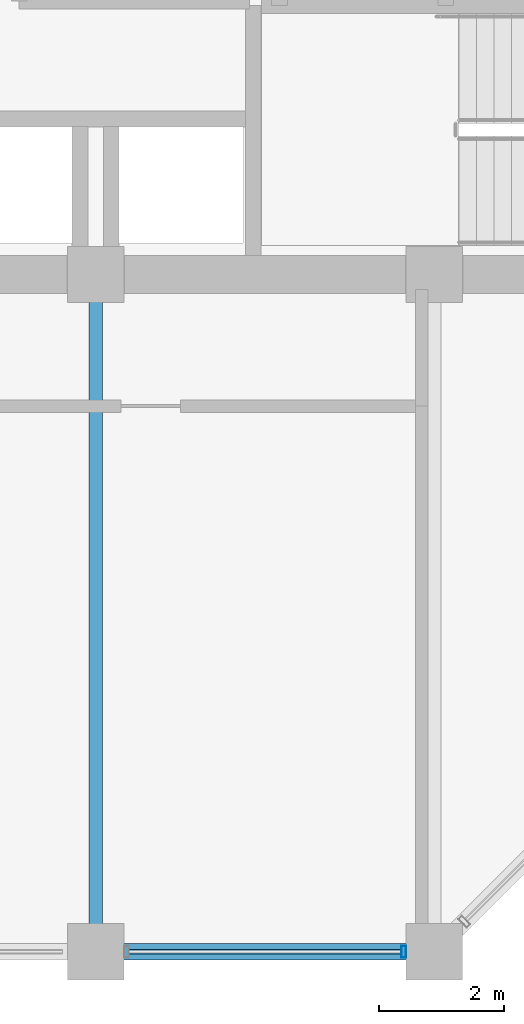
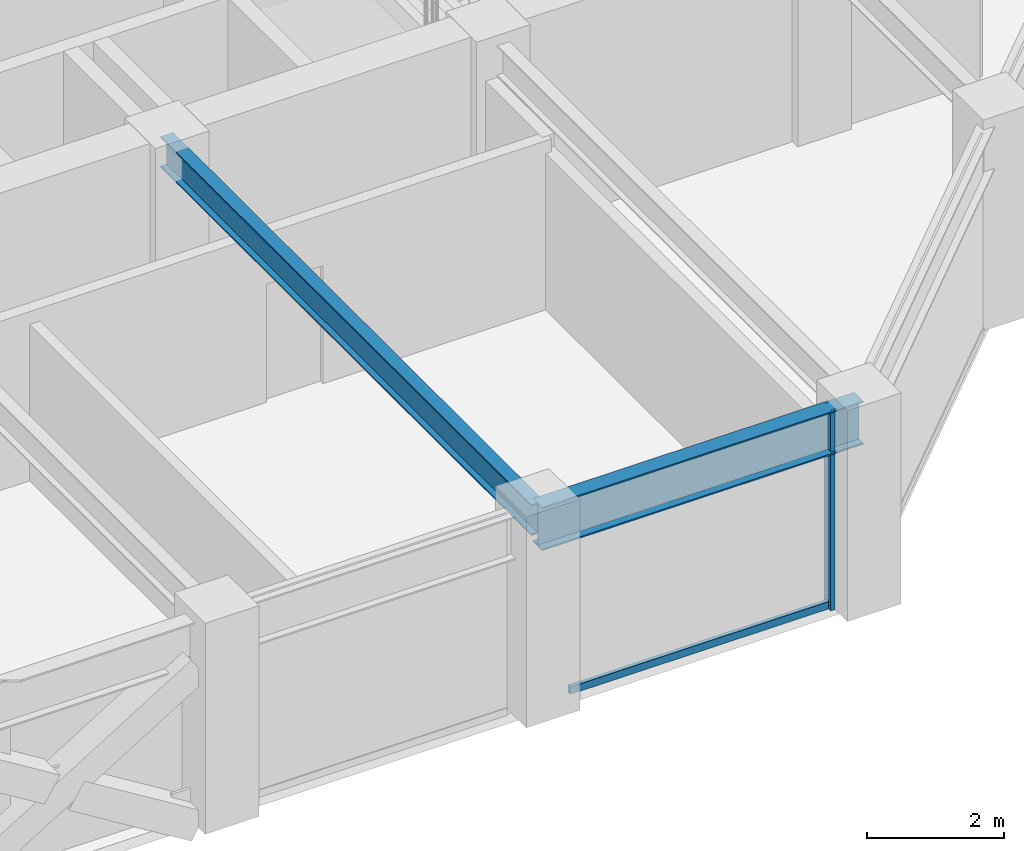
# One storey, part 7 of 32: 2 beams, 2 members, 1 element without a shape of its own.
"""IFC4 building model written with IfcOpenShell, lengths in metres."""

from ifc_helpers import new_model, si_unit, direction, frame, origin, origin_2d, place, context, subcontext, project, spatial, hollow_rectangle, i_section, extrude, material, layer, layer_set, material_profile, profile_set, type_object, element, aggregate, save


model = new_model("IFC4")

# Units and contexts
model_context = context("Model", 3, precision=1e-05, world=origin(), true_north=direction((0.0, 1.0)))
body_context = subcontext(model_context, "Body", "Model", "MODEL_VIEW")
ifc_project = project(units=[si_unit("LENGTHUNIT", "METRE"), si_unit("AREAUNIT", "SQUARE_METRE"), si_unit("VOLUMEUNIT", "CUBIC_METRE"), si_unit("PLANEANGLEUNIT", "RADIAN"), si_unit("MASSUNIT", "GRAM", prefix="KILO")], contexts=[model_context])

# Site, building, storey
site_placement = place(None, origin())
site = spatial("IfcSite", under=ifc_project, at=site_placement, CompositionType="ELEMENT")
building_placement = place(site_placement, origin())
building = spatial("IfcBuilding", under=site, at=building_placement, Name="Surkhivell Harbour Commons", CompositionType="ELEMENT")
storey_placement = place(building_placement, frame((0.0, 0.0, 212.25)))
storey = spatial("IfcBuildingStorey", under=building, at=storey_placement, Name="L55", CompositionType="ELEMENT", Elevation=212.25)

# Beams
ifc_material_1 = material(Name="Steel S355", Category="steel")
ifc_material_profile_1 = material_profile(ifc_material_1, i_section(OverallWidth=0.2119140625, OverallDepth=0.5439453125, WebThickness=0.0126953125, FlangeThickness=0.021240234375, at=origin_2d()), Name="UB533x210x122")
ifc_profile_set_1 = profile_set([ifc_material_profile_1], Name="Steel S355")
beam_type_1 = type_object("IfcBeamType", Name="BM-GRD-533A", PredefinedType="BEAM", material=ifc_profile_set_1)
beam_1_placement = place(storey_placement, frame((0.0, -21.60009765625, 3.298095703125), z_axis=(0.0, 1.0, 0.0), x_axis=(-1.0, 0.0, 0.0)))
element("IfcBeam", 1, at=beam_1_placement, inside=storey, type_object=beam_type_1, Name="L55 Floor Girder (0.0,-21.6)", PredefinedType="BEAM", context=body_context, shape_type="SweptSolid", body=[
    extrude(i_section(OverallWidth=0.2119140625, OverallDepth=0.5439453125, WebThickness=0.0126953125, FlangeThickness=0.021240234375, at=origin_2d()), origin(), (0.0, 0.0, 1.0), 10.800048828125),
])
ifc_material_profile_2 = material_profile(ifc_material_1, i_section(OverallWidth=0.26806640625, OverallDepth=0.77001953125, WebThickness=0.015625, FlangeThickness=0.025390625, at=origin_2d()), Name="UB762x267x197")
ifc_profile_set_2 = profile_set([ifc_material_profile_2], Name="Steel S355")
beam_type_2 = type_object("IfcBeamType", Name="BM-SPN-762", PredefinedType="SPANDREL", material=ifc_profile_set_2)
beam_2_placement = place(storey_placement, frame((0.0, -21.60009765625, 3.18505859375), z_axis=(1.0, 0.0, 0.0), x_axis=(0.0, 1.0, 0.0)))
element("IfcBeam", 2, at=beam_2_placement, inside=storey, type_object=beam_type_2, Name="L55 Tube Spandrel (-0.0,-21.6)", PredefinedType="SPANDREL", context=body_context, shape_type="SweptSolid", body=[
    extrude(i_section(OverallWidth=0.26806640625, OverallDepth=0.77001953125, WebThickness=0.015625, FlangeThickness=0.025390625, at=origin_2d()), origin(), (0.0, 0.0, 1.0), 5.39990234375),
])

# Curtain wall, members
ifc_material_2 = material(Name="Anodised pale-metal aluminium and insulated glazing", Category="aluminium")
ifc_layer = layer(ifc_material_2, 0.18994140625)
ifc_layer_set = layer_set([ifc_layer], Name="Anodised pale-metal aluminium and insulated glazing")
curtain_wall_type = type_object("IfcCurtainWallType", Name="CW-SYS-Z3", PredefinedType="NOTDEFINED", material=ifc_layer_set)
curtain_wall_placement = place(storey_placement, origin())
curtain_wall = element("IfcCurtainWall", 3, at=curtain_wall_placement, inside=storey, type_object=curtain_wall_type, Name="L55 Curtain Wall CW-L55-E00S2", PredefinedType="NOTDEFINED")
ifc_material_3 = material(Name="Anodised pale-metal aluminium alloy 6063-T6", Category="aluminium")
ifc_material_profile_3 = material_profile(ifc_material_3, hollow_rectangle(XDim=0.074951171875, YDim=0.18994140625, WallThickness=0.00390625, at=origin_2d()), Name="ALU-MULL-75x190")
ifc_profile_set_3 = profile_set([ifc_material_profile_3], Name="Anodised pale-metal aluminium alloy 6063-T6")
member_type_1 = type_object("IfcMemberType", Name="CWM-190", PredefinedType="MULLION", material=ifc_profile_set_3)
member_1_placement = place(storey_placement, frame((4.910400390625, -21.60009765625, 0.0), z_axis=(0.0, 0.0, 1.0), x_axis=(1.0, 0.0, 0.0)))
member_1 = element("IfcMember", 4, at=member_1_placement, type_object=member_type_1, Name="CW-Z3 mullion 3", PredefinedType="MULLION", context=body_context, shape_type="SweptSolid", body=[
    extrude(hollow_rectangle(XDim=0.074951171875, YDim=0.18994140625, WallThickness=0.00390625, at=origin_2d()), origin(), (0.0, 0.0, 1.0), 3.570068359375),
])
ifc_material_4 = material(Name="Champagne anodised aluminium alloy 6063-T6", Category="aluminium")
ifc_material_profile_4 = material_profile(ifc_material_4, hollow_rectangle(XDim=0.070068359375, YDim=0.1298828125, WallThickness=0.00341796875, at=origin_2d()), Name="ALU-TRAN-70x130")
ifc_profile_set_4 = profile_set([ifc_material_profile_4], Name="Champagne anodised aluminium alloy 6063-T6")
member_type_2 = type_object("IfcMemberType", Name="CWT-130", PredefinedType="USERDEFINED", material=ifc_profile_set_4)
member_2_placement = place(storey_placement, frame((0.527099609375, -21.60009765625, 0.06494140625), z_axis=(1.0, 0.0, 0.0), x_axis=(0.0, 1.0, 0.0)))
member_2 = element("IfcMember", 5, at=member_2_placement, type_object=member_type_2, Name="CW-Z3 transom 2.1", ObjectType="TRANSOM", PredefinedType="USERDEFINED", context=body_context, shape_type="SweptSolid", body=[
    extrude(hollow_rectangle(XDim=0.070068359375, YDim=0.1298828125, WallThickness=0.00341796875, at=origin_2d()), origin(), (0.0, 0.0, 1.0), 4.345947265625),
])
aggregate(curtain_wall, [member_1, member_2])

save(model, "model.ifc")
